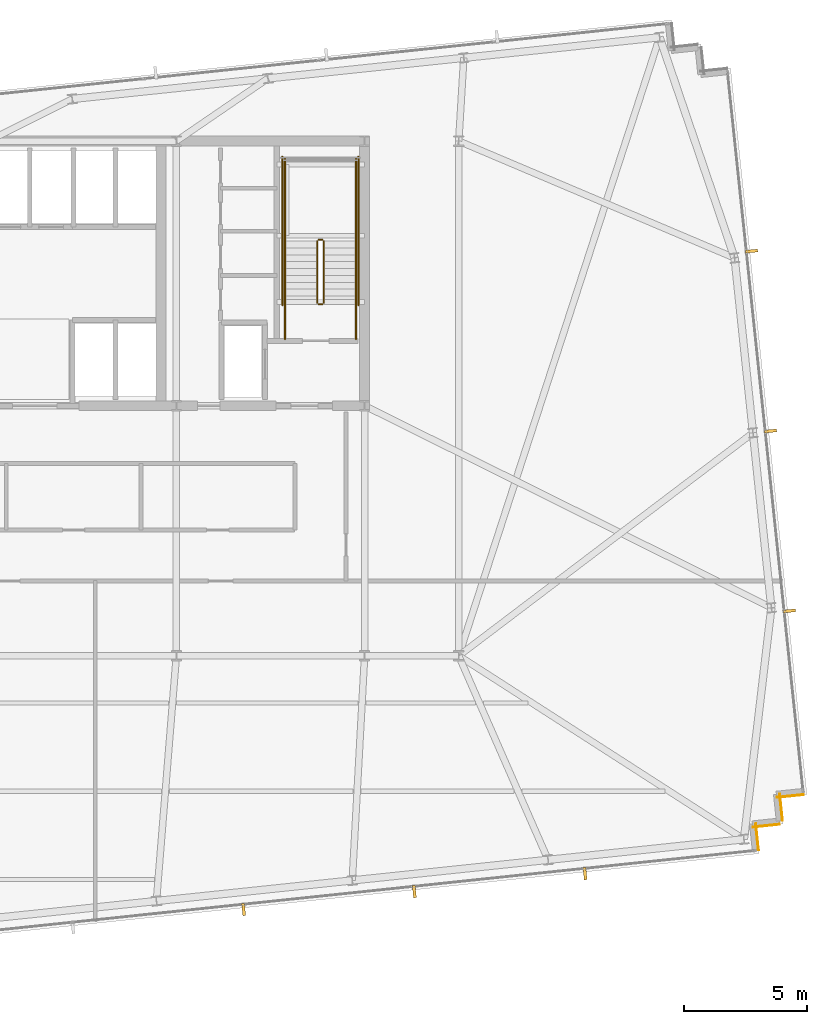
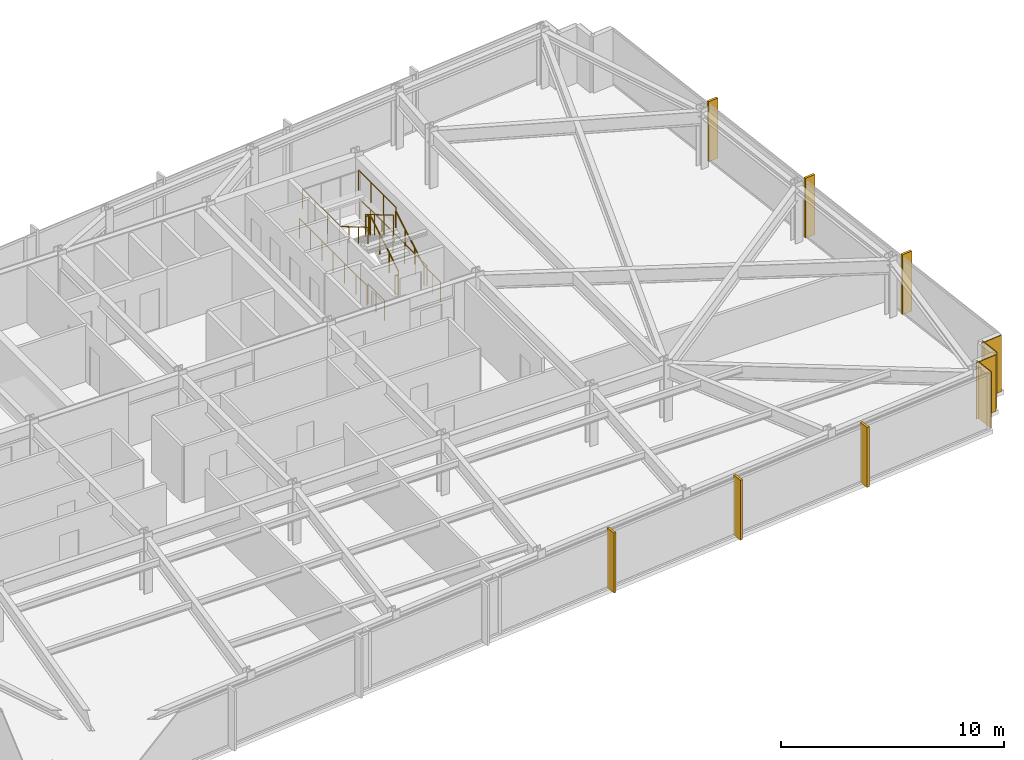
# One storey, part 31 of 32: 12 railings, 6 shading devices, 4 coverings.
"""IFC4 building model written with IfcOpenShell, lengths in metres."""

from ifc_helpers import new_model, si_unit, direction, frame, frame_2d, origin, origin_2d, place, context, subcontext, project, spatial, rectangle, circle, extrude, material, layer, layer_set, type_object, element, save


model = new_model("IFC4")

# Units and contexts
model_context = context("Model", 3, precision=1e-05, world=origin(), true_north=direction((0.0, 1.0)))
body_context = subcontext(model_context, "Body", "Model", "MODEL_VIEW")
ifc_project = project(units=[si_unit("LENGTHUNIT", "METRE"), si_unit("AREAUNIT", "SQUARE_METRE"), si_unit("VOLUMEUNIT", "CUBIC_METRE"), si_unit("PLANEANGLEUNIT", "RADIAN"), si_unit("MASSUNIT", "GRAM", prefix="KILO")], contexts=[model_context])

# Site, building, storey
site_placement = place(None, origin())
site = spatial("IfcSite", under=ifc_project, at=site_placement, CompositionType="ELEMENT")
building_placement = place(site_placement, origin())
building = spatial("IfcBuilding", under=site, at=building_placement, Name="Yelkora Congress Tower", CompositionType="ELEMENT")
storey_placement = place(building_placement, frame((0.0, 0.0, 207.800048828125)))
storey = spatial("IfcBuildingStorey", under=building, at=storey_placement, Name="L57", CompositionType="ELEMENT", Elevation=207.800048828125)

# Coverings
ifc_material_1 = material(Name="Anatolian bush-hammered limestone", Category="masonry")
ifc_layer_1 = layer(ifc_material_1, 0.0400390625)
ifc_layer_set_1 = layer_set([ifc_layer_1], Name="Anatolian bush-hammered limestone")
covering_type = type_object("IfcCoveringType", Name="COV-CLAD-SPANDREL-40", PredefinedType="CLADDING", material=ifc_layer_set_1)
for number, where, z_axis, x_axis, name in (
    (1, (71.668212890625, 19.535888671875, 0.0), (0.0, 0.0, 1.0), (-0.994544300928, -0.104315068386, 0.0), "L57 Anatolian Limestone Cladding EW-L57-SR16"),
    (2, (70.6943359375, 19.569580078125, 0.0), (0.0, 0.0, 1.0), (0.104534592565, -0.994521251134, 0.0), "L57 Anatolian Limestone Cladding EW-L57-SR17"),
    (3, (70.689208984375, 18.3271484375, 0.0), (0.0, 0.0, 1.0), (-0.994521251134, -0.104534592565, 0.0), "L57 Anatolian Limestone Cladding EW-L57-SR18"),
    (4, (69.71533203125, 18.360595703125, 0.0), (0.0, 0.0, 1.0), (0.104534592565, -0.994521251134, 0.0), "L57 Anatolian Limestone Cladding EW-L57-SR19"),
):
    element("IfcCovering", number, at=place(storey_placement, frame(where, z_axis=z_axis, x_axis=x_axis)), inside=storey, type_object=covering_type, Name=name, PredefinedType="CLADDING", context=body_context, shape_type="SweptSolid", body=[
        extrude(rectangle(XDim=1.10009765625, YDim=0.0400390625, at=frame_2d((0.550048828125, 0.0))), origin(), (0.0, 0.0, 1.0), 3.079833984375),
    ])

# Railings
ifc_material_2 = material(Name="Painted galvanised steel stair well guard with vertical infill", Category="steel")
ifc_layer_2 = layer(ifc_material_2, 0.06005859375)
ifc_layer_set_2 = layer_set([ifc_layer_2], Name="Painted galvanised steel stair well guard with vertical infill")
railing_type_1 = type_object("IfcRailingType", Name="RAIL-STAIR-GUARD-1120", PredefinedType="GUARDRAIL", material=ifc_layer_set_2)
railing_1_placement = place(storey_placement, frame((52.090087890625, 39.60009765625, 0.1650390625)))
element("IfcRailing", 5, at=railing_1_placement, inside=storey, type_object=railing_type_1, Name="ST-02 L57 Stair Well Guardrail 1", PredefinedType="GUARDRAIL", context=body_context, shape_type="SweptSolid", body=[
    extrude(circle(Radius=0.02392578125, at=origin_2d()), frame((0.0, 0.0, 1.09619140625), z_axis=(0.0, 0.861560626758, 0.507654692109), x_axis=(-1.0, 0.0, 0.0)), (0.0, 0.0, 1.0), 2.925048828125),
    extrude(circle(Radius=0.02099609375, at=origin_2d()), origin(), (0.0, 0.0, 1.0), 1.072021484375),
    extrude(circle(Radius=0.02099609375, at=origin_2d()), frame((0.0, 0.840087890625, 0.494873046875)), (0.0, 0.0, 1.0), 1.072021484375),
    extrude(circle(Radius=0.02099609375, at=origin_2d()), frame((0.0, 1.679931640625, 0.989990234375)), (0.0, 0.0, 1.0), 1.072021484375),
    extrude(circle(Radius=0.02099609375, at=origin_2d()), frame((0.0, 2.52001953125, 1.48486328125)), (0.0, 0.0, 1.0), 1.072021484375),
])
railing_2_placement = place(storey_placement, frame((52.0400390625, 42.169921875, 1.64990234375)))
element("IfcRailing", 6, at=railing_2_placement, inside=storey, type_object=railing_type_1, Name="ST-02 L57 Stair Well Guardrail 2", PredefinedType="GUARDRAIL", context=body_context, shape_type="SweptSolid", body=[
    extrude(circle(Radius=0.02392578125, at=origin_2d()), frame((0.0, 0.0, 1.09619140625), z_axis=(-1.0, 0.0, 0.0), x_axis=(0.0, -1.0, 0.0)), (0.0, 0.0, 1.0), 0.16015625),
    extrude(circle(Radius=0.02099609375, at=origin_2d()), origin(), (0.0, 0.0, 1.0), 1.072021484375),
    extrude(circle(Radius=0.02099609375, at=origin_2d()), frame((-0.16015625, 0.0, 0.0)), (0.0, 0.0, 1.0), 1.072021484375),
])
for number, where, name in (
    (7, (53.409912109375, 42.1201171875, 1.64990234375), "ST-02 L57 Stair Well Guardrail 3"),
    (8, (50.510009765625, 42.1201171875, 1.64990234375), "ST-02 L57 Stair Well Guardrail 4"),
):
    element("IfcRailing", number, at=place(storey_placement, frame(where)), inside=storey, type_object=railing_type_1, Name=name, PredefinedType="GUARDRAIL", context=body_context, shape_type="SweptSolid", body=[
        extrude(circle(Radius=0.02392578125, at=origin_2d()), frame((0.0, 0.0, 1.09619140625), z_axis=(0.0, 1.0, 0.0), x_axis=(-1.0, 0.0, 0.0)), (0.0, 0.0, 1.0), 3.349853515625),
        extrude(circle(Radius=0.02099609375, at=origin_2d()), origin(), (0.0, 0.0, 1.0), 1.072021484375),
        extrude(circle(Radius=0.02099609375, at=origin_2d()), frame((0.0, 1.11669921875, 0.0)), (0.0, 0.0, 1.0), 1.072021484375),
        extrude(circle(Radius=0.02099609375, at=origin_2d()), frame((0.0, 2.233154296875, 0.0)), (0.0, 0.0, 1.0), 1.072021484375),
        extrude(circle(Radius=0.02099609375, at=origin_2d()), frame((0.0, 3.349853515625, 0.0)), (0.0, 0.0, 1.0), 1.072021484375),
    ])
railing_3_placement = place(storey_placement, frame((51.830078125, 42.1201171875, 1.81494140625)))
element("IfcRailing", 9, at=railing_3_placement, inside=storey, type_object=railing_type_1, Name="ST-02 L57 Stair Well Guardrail 6", PredefinedType="GUARDRAIL", context=body_context, shape_type="SweptSolid", body=[
    extrude(circle(Radius=0.02392578125, at=origin_2d()), frame((0.0, 0.0, 1.09619140625), z_axis=(0.0, -0.86152411907, 0.507716645641), x_axis=(1.0, 0.0, 0.0)), (0.0, 0.0, 1.0), 2.925048828125),
    extrude(circle(Radius=0.02099609375, at=origin_2d()), origin(), (0.0, 0.0, 1.0), 1.072021484375),
    extrude(circle(Radius=0.02099609375, at=origin_2d()), frame((0.0, -0.840087890625, 0.4951171875)), (0.0, 0.0, 1.0), 1.072021484375),
    extrude(circle(Radius=0.02099609375, at=origin_2d()), frame((0.0, -1.679931640625, 0.989990234375)), (0.0, 0.0, 1.0), 1.072021484375),
    extrude(circle(Radius=0.02099609375, at=origin_2d()), frame((0.0, -2.52001953125, 1.485107421875)), (0.0, 0.0, 1.0), 1.072021484375),
])
railing_4_placement = place(storey_placement, frame((52.0400390625, 39.550048828125, 0.0)))
element("IfcRailing", 10, at=railing_4_placement, inside=storey, type_object=railing_type_1, Name="ST-02 L57 Stair Well Guardrail 7", PredefinedType="GUARDRAIL", context=body_context, shape_type="SweptSolid", body=[
    extrude(circle(Radius=0.02392578125, at=origin_2d()), frame((0.0, 0.0, 1.09619140625), z_axis=(-1.0, 0.0, 0.0), x_axis=(0.0, -1.0, 0.0)), (0.0, 0.0, 1.0), 0.16015625),
    extrude(circle(Radius=0.02099609375, at=origin_2d()), origin(), (0.0, 0.0, 1.0), 1.072021484375),
    extrude(circle(Radius=0.02099609375, at=origin_2d()), frame((-0.16015625, 0.0, 0.0)), (0.0, 0.0, 1.0), 1.072021484375),
])
for number, where, name in (
    (11, (53.409912109375, 38.1201171875, 0.0), "ST-02 L57 Stair Well Guardrail 8"),
    (12, (50.510009765625, 38.1201171875, 0.0), "ST-02 L57 Stair Well Guardrail 9"),
):
    element("IfcRailing", number, at=place(storey_placement, frame(where)), inside=storey, type_object=railing_type_1, Name=name, PredefinedType="GUARDRAIL", context=body_context, shape_type="SweptSolid", body=[
        extrude(circle(Radius=0.02392578125, at=origin_2d()), frame((0.0, 0.0, 1.09619140625), z_axis=(0.0, 1.0, 0.0), x_axis=(-1.0, 0.0, 0.0)), (0.0, 0.0, 1.0), 1.47998046875),
        extrude(circle(Radius=0.02099609375, at=origin_2d()), origin(), (0.0, 0.0, 1.0), 1.072021484375),
        extrude(circle(Radius=0.02099609375, at=origin_2d()), frame((0.0, 0.739990234375, 0.0)), (0.0, 0.0, 1.0), 1.072021484375),
        extrude(circle(Radius=0.02099609375, at=origin_2d()), frame((0.0, 1.47998046875, 0.0)), (0.0, 0.0, 1.0), 1.072021484375),
    ])
for number, where, name in (
    (13, (53.510009765625, 39.5, 0.0), "ST-02 L57 Stair Well Guardrail 10"),
    (14, (50.409912109375, 39.5, 0.0), "ST-02 L57 Stair Well Guardrail 11"),
):
    element("IfcRailing", number, at=place(storey_placement, frame(where)), inside=storey, type_object=railing_type_1, Name=name, PredefinedType="GUARDRAIL", context=body_context, shape_type="SweptSolid", body=[
        extrude(circle(Radius=0.02392578125, at=origin_2d()), frame((0.0, 0.0, 1.09619140625), z_axis=(0.0, 1.0, 0.0), x_axis=(-1.0, 0.0, 0.0)), (0.0, 0.0, 1.0), 6.070068359375),
        extrude(circle(Radius=0.02099609375, at=origin_2d()), origin(), (0.0, 0.0, 1.0), 1.072021484375),
        extrude(circle(Radius=0.02099609375, at=origin_2d()), frame((0.0, 1.01171875, 0.0)), (0.0, 0.0, 1.0), 1.072021484375),
        extrude(circle(Radius=0.02099609375, at=origin_2d()), frame((0.0, 2.0234375, 0.0)), (0.0, 0.0, 1.0), 1.072021484375),
        extrude(circle(Radius=0.02099609375, at=origin_2d()), frame((0.0, 3.03515625, 0.0)), (0.0, 0.0, 1.0), 1.072021484375),
        extrude(circle(Radius=0.02099609375, at=origin_2d()), frame((0.0, 4.046630859375, 0.0)), (0.0, 0.0, 1.0), 1.072021484375),
        extrude(circle(Radius=0.02099609375, at=origin_2d()), frame((0.0, 5.058349609375, 0.0)), (0.0, 0.0, 1.0), 1.072021484375),
        extrude(circle(Radius=0.02099609375, at=origin_2d()), frame((0.0, 6.070068359375, 0.0)), (0.0, 0.0, 1.0), 1.072021484375),
    ])
ifc_material_3 = material(Name="Brushed stainless steel tubular handrail", Category="steel")
ifc_layer_3 = layer(ifc_material_3, 0.050048828125)
ifc_layer_set_3 = layer_set([ifc_layer_3], Name="Brushed stainless steel tubular handrail")
railing_type_2 = type_object("IfcRailingType", Name="RAIL-STAIR-HAND-920", PredefinedType="HANDRAIL", material=ifc_layer_set_3)
railing_5_placement = place(storey_placement, frame((53.409912109375, 39.60009765625, 0.1650390625)))
element("IfcRailing", 15, at=railing_5_placement, inside=storey, type_object=railing_type_2, Name="ST-02 L57 Pitch Handrail 1", PredefinedType="HANDRAIL", context=body_context, shape_type="SweptSolid", body=[
    extrude(circle(Radius=0.02392578125, at=origin_2d()), frame((0.0, 0.0, 0.89599609375), z_axis=(0.0, 0.861560626758, 0.507654692109), x_axis=(-1.0, 0.0, 0.0)), (0.0, 0.0, 1.0), 2.925048828125),
    extrude(circle(Radius=0.02099609375, at=origin_2d()), origin(), (0.0, 0.0, 1.0), 0.871826171875),
    extrude(circle(Radius=0.02099609375, at=origin_2d()), frame((0.0, 0.840087890625, 0.494873046875)), (0.0, 0.0, 1.0), 0.871826171875),
    extrude(circle(Radius=0.02099609375, at=origin_2d()), frame((0.0, 1.679931640625, 0.989990234375)), (0.0, 0.0, 1.0), 0.871826171875),
    extrude(circle(Radius=0.02099609375, at=origin_2d()), frame((0.0, 2.52001953125, 1.48486328125)), (0.0, 0.0, 1.0), 0.871826171875),
])
railing_6_placement = place(storey_placement, frame((50.510009765625, 42.1201171875, 1.81494140625)))
element("IfcRailing", 16, at=railing_6_placement, inside=storey, type_object=railing_type_2, Name="ST-02 L57 Pitch Handrail 2", PredefinedType="HANDRAIL", context=body_context, shape_type="SweptSolid", body=[
    extrude(circle(Radius=0.02392578125, at=origin_2d()), frame((0.0, 0.0, 0.89599609375), z_axis=(0.0, -0.86152411907, 0.507716645641), x_axis=(1.0, 0.0, 0.0)), (0.0, 0.0, 1.0), 2.925048828125),
    extrude(circle(Radius=0.02099609375, at=origin_2d()), origin(), (0.0, 0.0, 1.0), 0.871826171875),
    extrude(circle(Radius=0.02099609375, at=origin_2d()), frame((0.0, -0.840087890625, 0.4951171875)), (0.0, 0.0, 1.0), 0.871826171875),
    extrude(circle(Radius=0.02099609375, at=origin_2d()), frame((0.0, -1.679931640625, 0.989990234375)), (0.0, 0.0, 1.0), 0.871826171875),
    extrude(circle(Radius=0.02099609375, at=origin_2d()), frame((0.0, -2.52001953125, 1.485107421875)), (0.0, 0.0, 1.0), 0.871826171875),
])

# Shading devices
ifc_material_4 = material(Name="Champagne anodised aluminium", Category="aluminium")
ifc_layer_4 = layer(ifc_material_4, 3.300048828125)
ifc_layer_set_4 = layer_set([ifc_layer_4], Name="Champagne anodised aluminium")
shading_device_type = type_object("IfcShadingDeviceType", Name="SHD-FIN-ALU-520", PredefinedType="USERDEFINED", material=ifc_layer_set_4)
for number, where, z_axis, x_axis, name in (
    (17, (69.538818359375, 41.7099609375, -0.0302734375), (0.0, 0.0, 1.0), (0.104528463268, -0.994521895368, 0.0), "L57 Vertical Anodised Solar Fin 15-1"),
    (18, (70.31005859375, 34.370361328125, -0.0302734375), (0.0, 0.0, 1.0), (0.104528463268, -0.994521895368, 0.0), "L57 Vertical Anodised Solar Fin 15-2"),
    (19, (71.08154296875, 27.03076171875, -0.0302734375), (0.0, 0.0, 1.0), (0.104528463268, -0.994521895368, 0.0), "L57 Vertical Anodised Solar Fin 15-3"),
    (20, (62.75244140625, 16.321533203125, -0.0302734375), (0.0, 0.0, 1.0), (-0.994521895368, -0.104528463268, 0.0), "L57 Vertical Anodised Solar Fin 20-1"),
    (21, (55.7880859375, 15.589599609375, -0.0302734375), (0.0, 0.0, 1.0), (-0.994521895368, -0.104528463268, 0.0), "L57 Vertical Anodised Solar Fin 20-2"),
    (22, (48.823486328125, 14.857421875, -0.0302734375), (0.0, 0.0, 1.0), (-0.994521895368, -0.104528463268, 0.0), "L57 Vertical Anodised Solar Fin 20-3"),
):
    element("IfcShadingDevice", number, at=place(storey_placement, frame(where, z_axis=z_axis, x_axis=x_axis)), inside=storey, type_object=shading_device_type, Name=name, ObjectType="FIN", PredefinedType="USERDEFINED", context=body_context, shape_type="SweptSolid", body=[
        extrude(rectangle(XDim=0.1201171875, YDim=0.52001953125, at=origin_2d()), origin(), (0.0, 0.0, 1.0), 3.280029296875),
    ])

save(model, "model.ifc")
